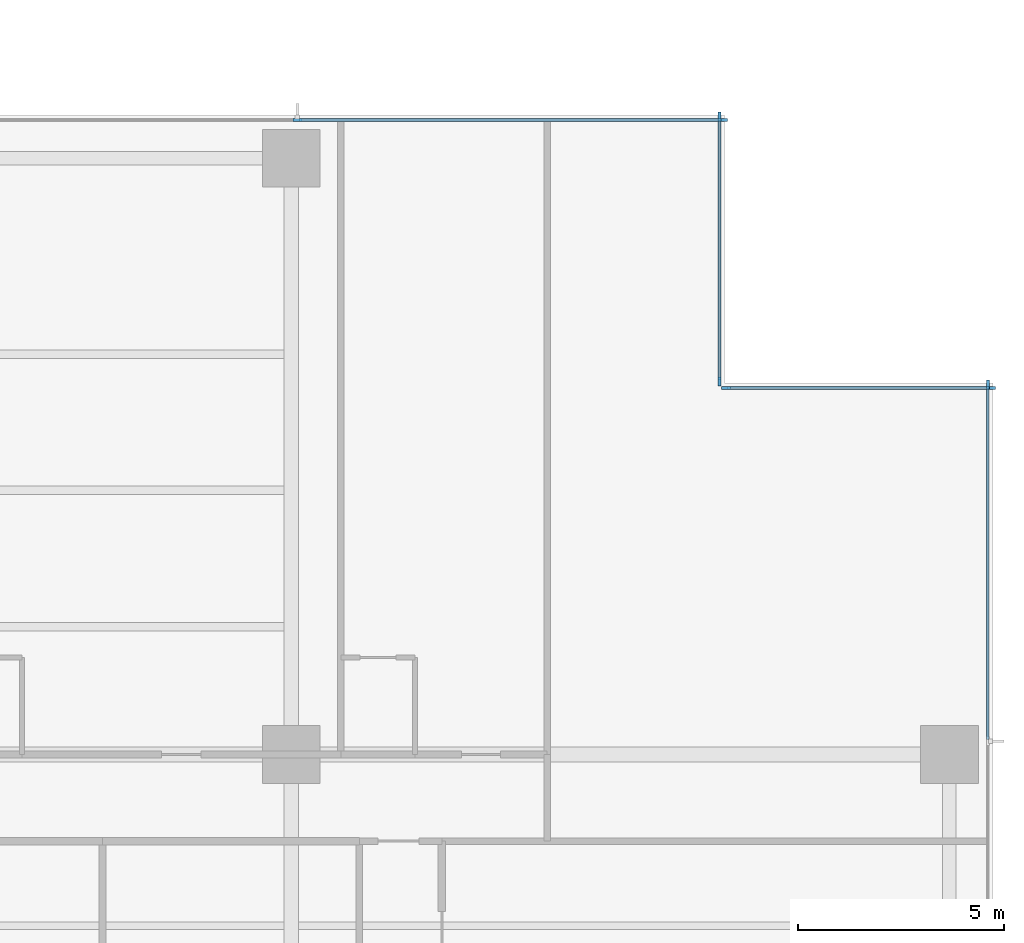
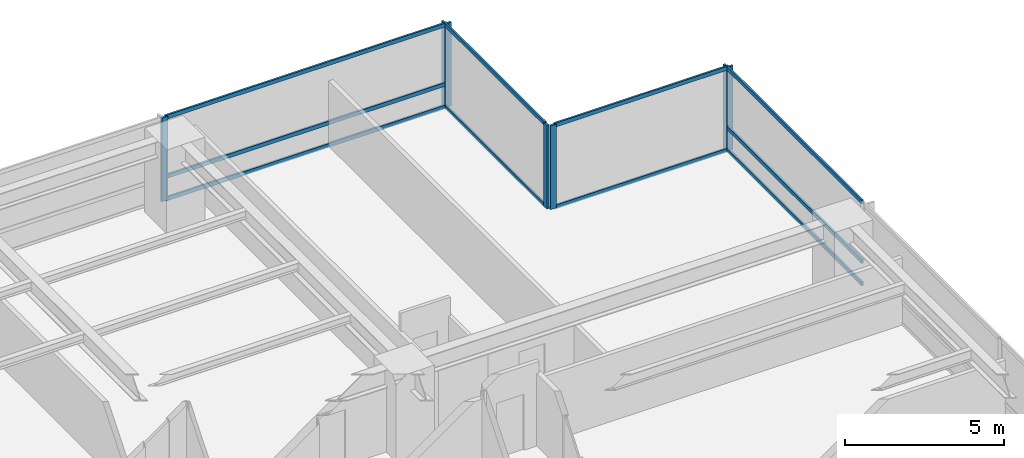
# One storey, part 5 of 17: 17 members, 4 elements without a shape of their own.
"""IFC4 building model written with IfcOpenShell, lengths in metres."""

import ifcopenshell
import ifcopenshell.guid

model = None  # the IFC model being written
_history = None  # IfcOwnerHistory: only IFC2X3 demands one
_inside = {}  # id of a spatial element -> (the spatial element, [elements in it])
_under = {}  # id of a project, library or spatial element -> (it, [spatial elements below it])
_declared = {}  # id of a project -> (the project, [libraries it declares])
_typed = {}  # id of a type object -> (the type object, [elements of that type])
_made_of = {}  # id of a material, layer set ... -> (it, [elements and type objects made of it])


def new_model(schema):
    """Start an empty IFC model of exactly this schema.

    Asked for "IFC4X3", IfcOpenShell would pick the latest addendum, in which some entities
    have other attributes; the version numbers below select the first issue.
    IFC2X3 requires an IfcOwnerHistory on every rooted entity: one is made here for all.
    """
    global model, _history
    if schema == "IFC4X3":
        model = ifcopenshell.file(schema_version=(4, 3, 0, 0))
    else:
        model = ifcopenshell.file(schema=schema)
    _inside.clear()
    _under.clear()
    _declared.clear()
    _typed.clear()
    _made_of.clear()
    _history = None
    if model.schema == "IFC2X3":
        org = make("IfcOrganization", Name="unknown")
        user = make(
            "IfcPersonAndOrganization",
            ThePerson=make("IfcPerson", FamilyName="unknown"),
            TheOrganization=org,
        )
        app = make(
            "IfcApplication",
            ApplicationDeveloper=org,
            Version="unknown",
            ApplicationFullName="unknown",
            ApplicationIdentifier="unknown",
        )
        _history = make(
            "IfcOwnerHistory",
            OwningUser=user,
            OwningApplication=app,
            ChangeAction="ADDED",
            CreationDate=0,
        )
    return model


def make(cls, **values):
    """One entity of the class cls with the attributes given. An attribute that is None is left unset."""
    return model.create_entity(
        cls, **{name: value for name, value in values.items() if value is not None}
    )


def rooted(cls, **values):
    """An entity with a GlobalId (a new one), such as an element, a storey or a relation."""
    return make(cls, GlobalId=ifcopenshell.guid.new(), OwnerHistory=_history, **values)


def si_unit(unit_type, name, prefix=None):
    """IfcSIUnit, for example si_unit("LENGTHUNIT", "METRE", prefix="MILLI")."""
    return make("IfcSIUnit", UnitType=unit_type, Prefix=prefix, Name=name)


def assignment(units):
    """IfcUnitAssignment: the units of a project."""
    return None if units is None else make("IfcUnitAssignment", Units=units)


def point(xyz):
    """IfcCartesianPoint."""
    return None if xyz is None else make("IfcCartesianPoint", Coordinates=xyz)


def direction(xyz):
    """IfcDirection."""
    return None if xyz is None else make("IfcDirection", DirectionRatios=xyz)


def frame(location, z_axis=None, x_axis=None):
    """IfcAxis2Placement3D, a coordinate frame: its origin and axes. An axis left out is left unset."""
    return make(
        "IfcAxis2Placement3D",
        Location=point(location),
        Axis=direction(z_axis),
        RefDirection=direction(x_axis),
    )


def frame_2d(location, x_axis=None):
    """IfcAxis2Placement2D, a coordinate frame in the plane: its origin and x axis."""
    return make(
        "IfcAxis2Placement2D", Location=point(location), RefDirection=direction(x_axis)
    )


def origin():
    """The frame at (0, 0, 0) with its axes left unset."""
    return frame((0.0, 0.0, 0.0))


def origin_2d():
    """The frame at (0, 0) in the plane with its x axis left unset."""
    return frame_2d((0.0, 0.0))


def place(relative_to, where):
    """IfcLocalPlacement: puts the frame where relative to a parent placement (None: the world)."""
    return make(
        "IfcLocalPlacement", PlacementRelTo=relative_to, RelativePlacement=where
    )


def context(
    kind, dimensions, precision=None, world=None, true_north=None, identifier=None
):
    """IfcGeometricRepresentationContext, for example the 3D "Model" context."""
    return make(
        "IfcGeometricRepresentationContext",
        ContextIdentifier=identifier,
        ContextType=kind,
        CoordinateSpaceDimension=dimensions,
        Precision=precision,
        WorldCoordinateSystem=world,
        TrueNorth=true_north,
    )


def subcontext(parent, identifier, kind, view, scale=None):
    """IfcGeometricRepresentationSubContext, for example "Body" below "Model"."""
    return make(
        "IfcGeometricRepresentationSubContext",
        ContextIdentifier=identifier,
        ContextType=kind,
        ParentContext=parent,
        TargetScale=scale,
        TargetView=view,
    )


def project(units=None, contexts=None):
    """IfcProject with its units and contexts."""
    return rooted(
        "IfcProject",
        Name="project",
        RepresentationContexts=contexts,
        UnitsInContext=assignment(units),
    )


def spatial(cls, under=None, at=None, **own):
    """A site, building, storey or space (cls), placed at a placement, below another one or the project."""
    s = rooted(cls, ObjectPlacement=at, **own)
    if under is not None:
        _under.setdefault(under.id(), (under, []))[1].append(s)
    return s


def profile(cls, at=None, kind="AREA", **sizes):
    """A parametric profile (cls). Its sizes go by their IFC names, for example OverallWidth=200.0."""
    return make(cls, ProfileType=kind, Position=at, **sizes)


def rectangle(**sizes):
    """IfcRectangleProfileDef."""
    return profile("IfcRectangleProfileDef", **sizes)


def extrude(swept, where, along, depth):
    """IfcExtrudedAreaSolid: the profile swept, set in the frame where, extruded along a direction by depth."""
    return make(
        "IfcExtrudedAreaSolid",
        SweptArea=swept,
        Position=where,
        ExtrudedDirection=direction(along),
        Depth=depth,
    )


def shape(context_of_items, identifier, shape_type, items):
    """IfcShapeRepresentation: the items that make up one representation, for example the "Body"."""
    return make(
        "IfcShapeRepresentation",
        ContextOfItems=context_of_items,
        RepresentationIdentifier=identifier,
        RepresentationType=shape_type,
        Items=items,
    )


def material(Name=None, Category=None):
    """IfcMaterial."""
    return make("IfcMaterial", Name=Name, Category=Category)


def layer(
    of_material, thickness, ventilated=None, Name=None, Category=None, Priority=None
):
    """IfcMaterialLayer: one layer of a wall or slab, of a material (None: an air gap)."""
    return make(
        "IfcMaterialLayer",
        Material=of_material,
        LayerThickness=thickness,
        IsVentilated=ventilated,
        Name=Name,
        Category=Category,
        Priority=Priority,
    )


def layer_set(layers, Name=None):
    """IfcMaterialLayerSet."""
    return make("IfcMaterialLayerSet", MaterialLayers=layers, LayerSetName=Name)


def material_profile(
    of_material, cross_section, Name=None, Category=None, Priority=None
):
    """IfcMaterialProfile: a cross section and its material."""
    return make(
        "IfcMaterialProfile",
        Name=Name,
        Material=of_material,
        Profile=cross_section,
        Priority=Priority,
        Category=Category,
    )


def profile_set(profiles, Name=None, composite=None):
    """IfcMaterialProfileSet."""
    return make(
        "IfcMaterialProfileSet",
        Name=Name,
        MaterialProfiles=profiles,
        CompositeProfile=composite,
    )


def made_of(thing, what):
    """Note that an element or type object is made of a material, layer set ...; save() writes the relation."""
    if what is not None:
        _made_of.setdefault(what.id(), (what, []))[1].append(thing)
    return thing


def type_object(cls, material=None, **own):
    """A type object (cls), such as IfcWallType, which elements share."""
    return made_of(rooted(cls, **own), material)


def element(
    cls,
    number,
    at=None,
    inside=None,
    cuts=None,
    type_object=None,
    material=None,
    context=None,
    identifier="Body",
    shape_type=None,
    held_by="IfcProductDefinitionShape",
    body=None,
    shapes=None,
    **own,
):
    """One element of the class cls, such as IfcWall. Its Tag is "e" and its number.

    at: its placement. inside: the storey or other place that contains it. cuts: it is an
    opening in that element (IfcRelVoidsElement). A single representation is given by context,
    identifier, shape_type and body (its items); several are given by shapes. held_by: the class
    of the entity that holds the representations. save() writes the other relations.
    """
    e = rooted(cls, Tag="e%d" % number, ObjectPlacement=at, **own)
    if body is not None:
        shapes = [shape(context, identifier, shape_type, body)]
    if shapes is not None:
        e.Representation = make(held_by, Representations=shapes)
    if inside is not None:
        _inside.setdefault(inside.id(), (inside, []))[1].append(e)
    if cuts is not None:
        rooted(
            "IfcRelVoidsElement", RelatingBuildingElement=cuts, RelatedOpeningElement=e
        )
    if type_object is not None:
        _typed.setdefault(type_object.id(), (type_object, []))[1].append(e)
    return made_of(e, material)


def aggregate(whole, parts):
    """IfcRelAggregates: a whole, such as a stair, and the parts it consists of."""
    return rooted("IfcRelAggregates", RelatingObject=whole, RelatedObjects=parts)


def save(model, path):
    """Write the relations noted so far, then the file.

    IfcRelAggregates (storeys below a building ...), IfcRelContainedInSpatialStructure (elements
    in a storey), IfcRelDefinesByType, IfcRelAssociatesMaterial and IfcRelDeclares: one each for
    every whole, place, type object, material and project.
    """
    for whole, parts in _under.values():
        aggregate(whole, parts)
    for where, things in _inside.values():
        rooted(
            "IfcRelContainedInSpatialStructure",
            RelatedElements=things,
            RelatingStructure=where,
        )
    for kind, things in _typed.values():
        rooted("IfcRelDefinesByType", RelatedObjects=things, RelatingType=kind)
    for what, things in _made_of.values():
        rooted("IfcRelAssociatesMaterial", RelatedObjects=things, RelatingMaterial=what)
    for by, libraries in _declared.values():
        rooted("IfcRelDeclares", RelatingContext=by, RelatedDefinitions=libraries)
    model.write(path)


model = new_model("IFC4")

# Units and contexts
model_context = context("Model", 3, precision=1e-05, world=origin(), true_north=direction((0.0, 1.0)))
body_context = subcontext(model_context, "Body", "Model", "MODEL_VIEW")
ifc_project = project(units=[si_unit("LENGTHUNIT", "METRE"), si_unit("AREAUNIT", "SQUARE_METRE"), si_unit("VOLUMEUNIT", "CUBIC_METRE"), si_unit("PLANEANGLEUNIT", "RADIAN"), si_unit("MASSUNIT", "GRAM", prefix="KILO")], contexts=[model_context])

# Site, building, storey
site_placement = place(None, origin())
site = spatial("IfcSite", under=ifc_project, at=site_placement, CompositionType="ELEMENT")
building_placement = place(site_placement, origin())
building = spatial("IfcBuilding", under=site, at=building_placement, Name="Qalmaran Belvedere Hotel", CompositionType="ELEMENT")
storey_placement = place(building_placement, frame((0.0, 0.0, 47.39990234375)))
storey = spatial("IfcBuildingStorey", under=building, at=storey_placement, Name="L11", CompositionType="ELEMENT", Elevation=47.39990234375)

# Curtain wall, member
ifc_material = material(Name="Anodised Bronze Aluminium", Category="aluminium")
ifc_layer = layer(ifc_material, 0.2099609375, Name="Anodised Bronze Aluminium")
ifc_layer_set = layer_set([ifc_layer], Name="Anodised Bronze Aluminium")
curtain_wall_type = type_object("IfcCurtainWallType", Name="CW2-TOWER-LOWER", PredefinedType="NOTDEFINED", material=ifc_layer_set)
curtain_wall_1_placement = place(storey_placement, origin())
curtain_wall_1 = element("IfcCurtainWall", 1, at=curtain_wall_1_placement, inside=storey, type_object=curtain_wall_type, Name="L11 Curtain Wall CW2", PredefinedType="NOTDEFINED")
ifc_material_profile_1 = material_profile(ifc_material, rectangle(XDim=0.074951171875, YDim=0.219970703125, at=origin_2d()), Name="CWM75X220")
ifc_profile_set_1 = profile_set([ifc_material_profile_1], Name="Anodised Bronze Aluminium")
member_type_1 = type_object("IfcMemberType", Name="CWM-75X220", PredefinedType="MULLION", material=ifc_profile_set_1)
member_1_placement = place(storey_placement, frame((61.679931640625, 41.96240234375, 0.0), z_axis=(0.0, 0.0, 1.0), x_axis=(-1.0, 0.0, 0.0)))
member_1 = element("IfcMember", 2, at=member_1_placement, type_object=member_type_1, Name="CW2 mullion 5", PredefinedType="MULLION", context=body_context, shape_type="SweptSolid", body=[
    extrude(rectangle(XDim=0.074951171875, YDim=0.219970703125, at=origin_2d()), origin(), (0.0, 0.0, 1.0), 3.22021484375),
])

# Curtain wall, members
curtain_wall_2_placement = place(storey_placement, origin())
curtain_wall_2 = element("IfcCurtainWall", 3, at=curtain_wall_2_placement, inside=storey, type_object=curtain_wall_type, Name="L11 Curtain Wall CW2", PredefinedType="NOTDEFINED")
member_2_placement = place(storey_placement, frame((61.762451171875, 41.8798828125, 0.0), z_axis=(0.0, 0.0, 1.0), x_axis=(0.0, -1.0, 0.0)))
member_2 = element("IfcMember", 4, at=member_2_placement, type_object=member_type_1, Name="CW2 mullion 1", PredefinedType="MULLION", context=body_context, shape_type="SweptSolid", body=[
    extrude(rectangle(XDim=0.074951171875, YDim=0.219970703125, at=origin_2d()), origin(), (0.0, 0.0, 1.0), 3.22021484375),
])
member_3_placement = place(storey_placement, frame((55.33740234375, 41.8798828125, 0.0), z_axis=(0.0, 0.0, 1.0), x_axis=(0.0, -1.0, 0.0)))
member_3 = element("IfcMember", 5, at=member_3_placement, type_object=member_type_1, Name="CW2 mullion 2", PredefinedType="MULLION", context=body_context, shape_type="SweptSolid", body=[
    extrude(rectangle(XDim=0.074951171875, YDim=0.219970703125, at=origin_2d()), origin(), (0.0, 0.0, 1.0), 3.22021484375),
])

curtain_wall_3_placement = place(storey_placement, origin())
curtain_wall_3 = element("IfcCurtainWall", 6, at=curtain_wall_3_placement, inside=storey, type_object=curtain_wall_type, Name="L11 Curtain Wall CW2", PredefinedType="NOTDEFINED")
member_4_placement = place(storey_placement, frame((55.179931640625, 42.03759765625, 0.0), z_axis=(0.0, 0.0, 1.0), x_axis=(-1.0, 0.0, 0.0)))
member_4 = element("IfcMember", 7, at=member_4_placement, type_object=member_type_1, Name="CW2 mullion 1", PredefinedType="MULLION", context=body_context, shape_type="SweptSolid", body=[
    extrude(rectangle(XDim=0.074951171875, YDim=0.219970703125, at=origin_2d()), origin(), (0.0, 0.0, 1.0), 3.22021484375),
])
member_5_placement = place(storey_placement, frame((55.179931640625, 48.46240234375, 0.0), z_axis=(0.0, 0.0, 1.0), x_axis=(-1.0, 0.0, 0.0)))
member_5 = element("IfcMember", 8, at=member_5_placement, type_object=member_type_1, Name="CW2 mullion 2", PredefinedType="MULLION", context=body_context, shape_type="SweptSolid", body=[
    extrude(rectangle(XDim=0.074951171875, YDim=0.219970703125, at=origin_2d()), origin(), (0.0, 0.0, 1.0), 3.22021484375),
])

curtain_wall_4_placement = place(storey_placement, origin())
curtain_wall_4 = element("IfcCurtainWall", 9, at=curtain_wall_4_placement, inside=storey, type_object=curtain_wall_type, Name="L11 Curtain Wall CW2", PredefinedType="NOTDEFINED")
member_6_placement = place(storey_placement, frame((55.262451171875, 48.3798828125, 0.0), z_axis=(0.0, 0.0, 1.0), x_axis=(0.0, -1.0, 0.0)))
member_6 = element("IfcMember", 10, at=member_6_placement, type_object=member_type_1, Name="CW2 mullion 1", PredefinedType="MULLION", context=body_context, shape_type="SweptSolid", body=[
    extrude(rectangle(XDim=0.074951171875, YDim=0.219970703125, at=origin_2d()), origin(), (0.0, 0.0, 1.0), 3.22021484375),
])
member_7_placement = place(storey_placement, frame((44.949951171875, 48.3798828125, 0.0), z_axis=(0.0, 0.0, 1.0), x_axis=(0.0, -1.0, 0.0)))
member_7 = element("IfcMember", 11, at=member_7_placement, type_object=member_type_1, Name="CW2 mullion 2", PredefinedType="MULLION", context=body_context, shape_type="SweptSolid", body=[
    extrude(rectangle(XDim=0.074951171875, YDim=0.219970703125, at=origin_2d()), origin(), (0.0, 0.0, 1.0), 3.22021484375),
])

# Member
ifc_material_profile_2 = material_profile(ifc_material, rectangle(XDim=0.070068359375, YDim=0.14990234375, at=origin_2d()), Name="CWT70X150")
ifc_profile_set_2 = profile_set([ifc_material_profile_2], Name="Anodised Bronze Aluminium")
member_type_2 = type_object("IfcMemberType", Name="CWT-70X150", PredefinedType="USERDEFINED", material=ifc_profile_set_2)
member_8_placement = place(storey_placement, frame((61.679931640625, 33.362548828125, 0.03515625), z_axis=(0.0, 1.0, 0.0), x_axis=(-1.0, 0.0, 0.0)))
member_8 = element("IfcMember", 12, at=member_8_placement, type_object=member_type_2, Name="CW2 transom 4.1", ObjectType="TRANSOM", PredefinedType="USERDEFINED", context=body_context, shape_type="SweptSolid", body=[
    extrude(rectangle(XDim=0.070068359375, YDim=0.14990234375, at=origin_2d()), origin(), (0.0, 0.0, 1.0), 8.5625),
])

member_9_placement = place(storey_placement, frame((61.679931640625, 33.362548828125, 0.901611328125), z_axis=(0.0, 1.0, 0.0), x_axis=(-1.0, 0.0, 0.0)))
member_9 = element("IfcMember", 13, at=member_9_placement, type_object=member_type_2, Name="CW2 transom 4.2", ObjectType="TRANSOM", PredefinedType="USERDEFINED", context=body_context, shape_type="SweptSolid", body=[
    extrude(rectangle(XDim=0.070068359375, YDim=0.14990234375, at=origin_2d()), origin(), (0.0, 0.0, 1.0), 8.5625),
])

member_10_placement = place(storey_placement, frame((61.679931640625, 33.362548828125, 3.18505859375), z_axis=(0.0, 1.0, 0.0), x_axis=(-1.0, 0.0, 0.0)))
member_10 = element("IfcMember", 14, at=member_10_placement, type_object=member_type_2, Name="CW2 transom 4.3", ObjectType="TRANSOM", PredefinedType="USERDEFINED", context=body_context, shape_type="SweptSolid", body=[
    extrude(rectangle(XDim=0.070068359375, YDim=0.14990234375, at=origin_2d()), origin(), (0.0, 0.0, 1.0), 8.5625),
])

aggregate(curtain_wall_1, [member_1, member_8, member_9, member_10])

member_11_placement = place(storey_placement, frame((61.72509765625, 41.8798828125, 0.03515625), z_axis=(-1.0, 0.0, 0.0), x_axis=(0.0, -1.0, 0.0)))
member_11 = element("IfcMember", 15, at=member_11_placement, type_object=member_type_2, Name="CW2 transom 1.1", ObjectType="TRANSOM", PredefinedType="USERDEFINED", context=body_context, shape_type="SweptSolid", body=[
    extrude(rectangle(XDim=0.070068359375, YDim=0.14990234375, at=origin_2d()), origin(), (0.0, 0.0, 1.0), 6.35009765625),
])

member_12_placement = place(storey_placement, frame((61.72509765625, 41.8798828125, 3.18505859375), z_axis=(-1.0, 0.0, 0.0), x_axis=(0.0, -1.0, 0.0)))
member_12 = element("IfcMember", 16, at=member_12_placement, type_object=member_type_2, Name="CW2 transom 1.2", ObjectType="TRANSOM", PredefinedType="USERDEFINED", context=body_context, shape_type="SweptSolid", body=[
    extrude(rectangle(XDim=0.070068359375, YDim=0.14990234375, at=origin_2d()), origin(), (0.0, 0.0, 1.0), 6.35009765625),
])

aggregate(curtain_wall_2, [member_2, member_3, member_11, member_12])

member_13_placement = place(storey_placement, frame((55.179931640625, 42.074951171875, 0.03515625), z_axis=(0.0, 1.0, 0.0), x_axis=(-1.0, 0.0, 0.0)))
member_13 = element("IfcMember", 17, at=member_13_placement, type_object=member_type_2, Name="CW2 transom 1.1", ObjectType="TRANSOM", PredefinedType="USERDEFINED", context=body_context, shape_type="SweptSolid", body=[
    extrude(rectangle(XDim=0.070068359375, YDim=0.14990234375, at=origin_2d()), origin(), (0.0, 0.0, 1.0), 6.35009765625),
])

member_14_placement = place(storey_placement, frame((55.179931640625, 42.074951171875, 3.18505859375), z_axis=(0.0, 1.0, 0.0), x_axis=(-1.0, 0.0, 0.0)))
member_14 = element("IfcMember", 18, at=member_14_placement, type_object=member_type_2, Name="CW2 transom 1.2", ObjectType="TRANSOM", PredefinedType="USERDEFINED", context=body_context, shape_type="SweptSolid", body=[
    extrude(rectangle(XDim=0.070068359375, YDim=0.14990234375, at=origin_2d()), origin(), (0.0, 0.0, 1.0), 6.35009765625),
])

aggregate(curtain_wall_3, [member_4, member_5, member_13, member_14])

member_15_placement = place(storey_placement, frame((55.22509765625, 48.3798828125, 0.03515625), z_axis=(-1.0, 0.0, 0.0), x_axis=(0.0, -1.0, 0.0)))
member_15 = element("IfcMember", 19, at=member_15_placement, type_object=member_type_2, Name="CW2 transom 1.1", ObjectType="TRANSOM", PredefinedType="USERDEFINED", context=body_context, shape_type="SweptSolid", body=[
    extrude(rectangle(XDim=0.070068359375, YDim=0.14990234375, at=origin_2d()), origin(), (0.0, 0.0, 1.0), 10.237548828125),
])

member_16_placement = place(storey_placement, frame((55.22509765625, 48.3798828125, 0.901611328125), z_axis=(-1.0, 0.0, 0.0), x_axis=(0.0, -1.0, 0.0)))
member_16 = element("IfcMember", 20, at=member_16_placement, type_object=member_type_2, Name="CW2 transom 1.2", ObjectType="TRANSOM", PredefinedType="USERDEFINED", context=body_context, shape_type="SweptSolid", body=[
    extrude(rectangle(XDim=0.070068359375, YDim=0.14990234375, at=origin_2d()), origin(), (0.0, 0.0, 1.0), 10.237548828125),
])

member_17_placement = place(storey_placement, frame((55.22509765625, 48.3798828125, 3.18505859375), z_axis=(-1.0, 0.0, 0.0), x_axis=(0.0, -1.0, 0.0)))
member_17 = element("IfcMember", 21, at=member_17_placement, type_object=member_type_2, Name="CW2 transom 1.3", ObjectType="TRANSOM", PredefinedType="USERDEFINED", context=body_context, shape_type="SweptSolid", body=[
    extrude(rectangle(XDim=0.070068359375, YDim=0.14990234375, at=origin_2d()), origin(), (0.0, 0.0, 1.0), 10.237548828125),
])

aggregate(curtain_wall_4, [member_6, member_7, member_15, member_16, member_17])

save(model, "model.ifc")
